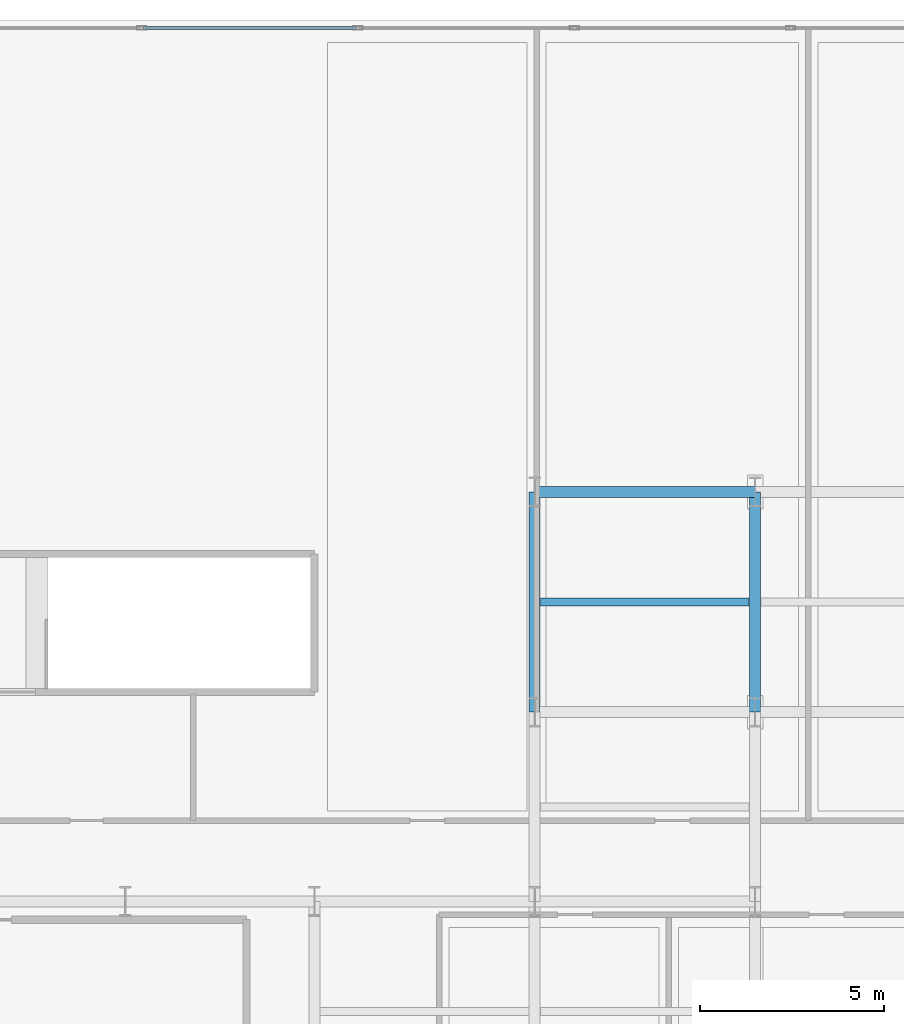
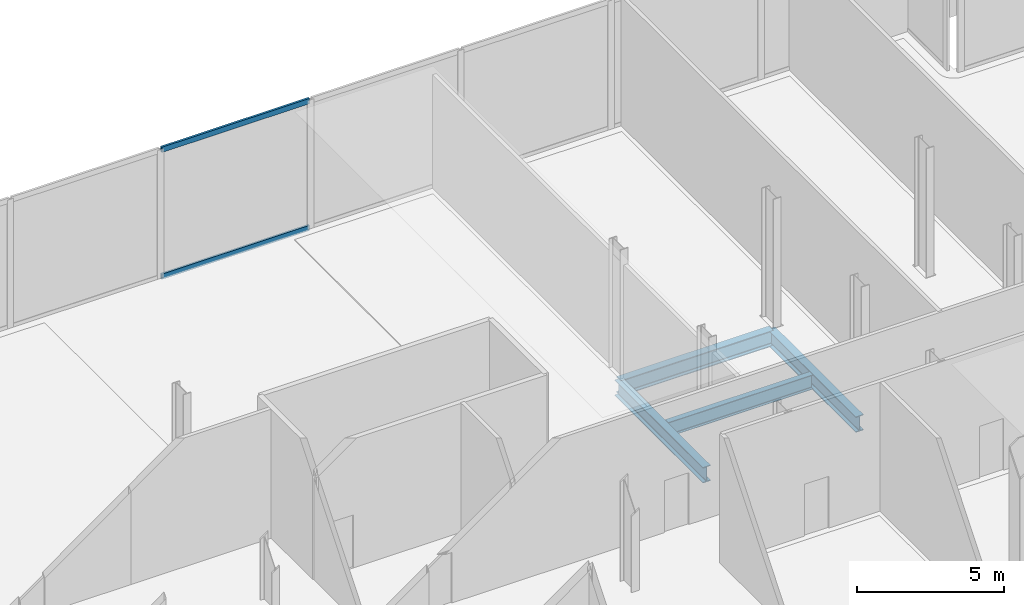
# One storey, part 16 of 27: 4 beams, 2 members, 1 element without a shape of its own.
"""IFC4 building model written with IfcOpenShell, lengths in metres."""

import ifcopenshell
import ifcopenshell.guid

model = None  # the IFC model being written
_history = None  # IfcOwnerHistory: only IFC2X3 demands one
_inside = {}  # id of a spatial element -> (the spatial element, [elements in it])
_under = {}  # id of a project, library or spatial element -> (it, [spatial elements below it])
_declared = {}  # id of a project -> (the project, [libraries it declares])
_typed = {}  # id of a type object -> (the type object, [elements of that type])
_made_of = {}  # id of a material, layer set ... -> (it, [elements and type objects made of it])


def new_model(schema):
    """Start an empty IFC model of exactly this schema.

    Asked for "IFC4X3", IfcOpenShell would pick the latest addendum, in which some entities
    have other attributes; the version numbers below select the first issue.
    IFC2X3 requires an IfcOwnerHistory on every rooted entity: one is made here for all.
    """
    global model, _history
    if schema == "IFC4X3":
        model = ifcopenshell.file(schema_version=(4, 3, 0, 0))
    else:
        model = ifcopenshell.file(schema=schema)
    _inside.clear()
    _under.clear()
    _declared.clear()
    _typed.clear()
    _made_of.clear()
    _history = None
    if model.schema == "IFC2X3":
        org = make("IfcOrganization", Name="unknown")
        user = make(
            "IfcPersonAndOrganization",
            ThePerson=make("IfcPerson", FamilyName="unknown"),
            TheOrganization=org,
        )
        app = make(
            "IfcApplication",
            ApplicationDeveloper=org,
            Version="unknown",
            ApplicationFullName="unknown",
            ApplicationIdentifier="unknown",
        )
        _history = make(
            "IfcOwnerHistory",
            OwningUser=user,
            OwningApplication=app,
            ChangeAction="ADDED",
            CreationDate=0,
        )
    return model


def make(cls, **values):
    """One entity of the class cls with the attributes given. An attribute that is None is left unset."""
    return model.create_entity(
        cls, **{name: value for name, value in values.items() if value is not None}
    )


def rooted(cls, **values):
    """An entity with a GlobalId (a new one), such as an element, a storey or a relation."""
    return make(cls, GlobalId=ifcopenshell.guid.new(), OwnerHistory=_history, **values)


def si_unit(unit_type, name, prefix=None):
    """IfcSIUnit, for example si_unit("LENGTHUNIT", "METRE", prefix="MILLI")."""
    return make("IfcSIUnit", UnitType=unit_type, Prefix=prefix, Name=name)


def assignment(units):
    """IfcUnitAssignment: the units of a project."""
    return None if units is None else make("IfcUnitAssignment", Units=units)


def point(xyz):
    """IfcCartesianPoint."""
    return None if xyz is None else make("IfcCartesianPoint", Coordinates=xyz)


def direction(xyz):
    """IfcDirection."""
    return None if xyz is None else make("IfcDirection", DirectionRatios=xyz)


def frame(location, z_axis=None, x_axis=None):
    """IfcAxis2Placement3D, a coordinate frame: its origin and axes. An axis left out is left unset."""
    return make(
        "IfcAxis2Placement3D",
        Location=point(location),
        Axis=direction(z_axis),
        RefDirection=direction(x_axis),
    )


def frame_2d(location, x_axis=None):
    """IfcAxis2Placement2D, a coordinate frame in the plane: its origin and x axis."""
    return make(
        "IfcAxis2Placement2D", Location=point(location), RefDirection=direction(x_axis)
    )


def origin():
    """The frame at (0, 0, 0) with its axes left unset."""
    return frame((0.0, 0.0, 0.0))


def origin_2d():
    """The frame at (0, 0) in the plane with its x axis left unset."""
    return frame_2d((0.0, 0.0))


def place(relative_to, where):
    """IfcLocalPlacement: puts the frame where relative to a parent placement (None: the world)."""
    return make(
        "IfcLocalPlacement", PlacementRelTo=relative_to, RelativePlacement=where
    )


def context(
    kind, dimensions, precision=None, world=None, true_north=None, identifier=None
):
    """IfcGeometricRepresentationContext, for example the 3D "Model" context."""
    return make(
        "IfcGeometricRepresentationContext",
        ContextIdentifier=identifier,
        ContextType=kind,
        CoordinateSpaceDimension=dimensions,
        Precision=precision,
        WorldCoordinateSystem=world,
        TrueNorth=true_north,
    )


def subcontext(parent, identifier, kind, view, scale=None):
    """IfcGeometricRepresentationSubContext, for example "Body" below "Model"."""
    return make(
        "IfcGeometricRepresentationSubContext",
        ContextIdentifier=identifier,
        ContextType=kind,
        ParentContext=parent,
        TargetScale=scale,
        TargetView=view,
    )


def project(units=None, contexts=None):
    """IfcProject with its units and contexts."""
    return rooted(
        "IfcProject",
        Name="project",
        RepresentationContexts=contexts,
        UnitsInContext=assignment(units),
    )


def spatial(cls, under=None, at=None, **own):
    """A site, building, storey or space (cls), placed at a placement, below another one or the project."""
    s = rooted(cls, ObjectPlacement=at, **own)
    if under is not None:
        _under.setdefault(under.id(), (under, []))[1].append(s)
    return s


def profile(cls, at=None, kind="AREA", **sizes):
    """A parametric profile (cls). Its sizes go by their IFC names, for example OverallWidth=200.0."""
    return make(cls, ProfileType=kind, Position=at, **sizes)


def hollow_rectangle(**sizes):
    """IfcRectangleHollowProfileDef."""
    return profile("IfcRectangleHollowProfileDef", **sizes)


def i_section(**sizes):
    """IfcIShapeProfileDef."""
    return profile("IfcIShapeProfileDef", **sizes)


def extrude(swept, where, along, depth):
    """IfcExtrudedAreaSolid: the profile swept, set in the frame where, extruded along a direction by depth."""
    return make(
        "IfcExtrudedAreaSolid",
        SweptArea=swept,
        Position=where,
        ExtrudedDirection=direction(along),
        Depth=depth,
    )


def shape(context_of_items, identifier, shape_type, items):
    """IfcShapeRepresentation: the items that make up one representation, for example the "Body"."""
    return make(
        "IfcShapeRepresentation",
        ContextOfItems=context_of_items,
        RepresentationIdentifier=identifier,
        RepresentationType=shape_type,
        Items=items,
    )


def material(Name=None, Category=None):
    """IfcMaterial."""
    return make("IfcMaterial", Name=Name, Category=Category)


def layer(
    of_material, thickness, ventilated=None, Name=None, Category=None, Priority=None
):
    """IfcMaterialLayer: one layer of a wall or slab, of a material (None: an air gap)."""
    return make(
        "IfcMaterialLayer",
        Material=of_material,
        LayerThickness=thickness,
        IsVentilated=ventilated,
        Name=Name,
        Category=Category,
        Priority=Priority,
    )


def layer_set(layers, Name=None):
    """IfcMaterialLayerSet."""
    return make("IfcMaterialLayerSet", MaterialLayers=layers, LayerSetName=Name)


def material_profile(
    of_material, cross_section, Name=None, Category=None, Priority=None
):
    """IfcMaterialProfile: a cross section and its material."""
    return make(
        "IfcMaterialProfile",
        Name=Name,
        Material=of_material,
        Profile=cross_section,
        Priority=Priority,
        Category=Category,
    )


def profile_set(profiles, Name=None, composite=None):
    """IfcMaterialProfileSet."""
    return make(
        "IfcMaterialProfileSet",
        Name=Name,
        MaterialProfiles=profiles,
        CompositeProfile=composite,
    )


def made_of(thing, what):
    """Note that an element or type object is made of a material, layer set ...; save() writes the relation."""
    if what is not None:
        _made_of.setdefault(what.id(), (what, []))[1].append(thing)
    return thing


def type_object(cls, material=None, **own):
    """A type object (cls), such as IfcWallType, which elements share."""
    return made_of(rooted(cls, **own), material)


def element(
    cls,
    number,
    at=None,
    inside=None,
    cuts=None,
    type_object=None,
    material=None,
    context=None,
    identifier="Body",
    shape_type=None,
    held_by="IfcProductDefinitionShape",
    body=None,
    shapes=None,
    **own,
):
    """One element of the class cls, such as IfcWall. Its Tag is "e" and its number.

    at: its placement. inside: the storey or other place that contains it. cuts: it is an
    opening in that element (IfcRelVoidsElement). A single representation is given by context,
    identifier, shape_type and body (its items); several are given by shapes. held_by: the class
    of the entity that holds the representations. save() writes the other relations.
    """
    e = rooted(cls, Tag="e%d" % number, ObjectPlacement=at, **own)
    if body is not None:
        shapes = [shape(context, identifier, shape_type, body)]
    if shapes is not None:
        e.Representation = make(held_by, Representations=shapes)
    if inside is not None:
        _inside.setdefault(inside.id(), (inside, []))[1].append(e)
    if cuts is not None:
        rooted(
            "IfcRelVoidsElement", RelatingBuildingElement=cuts, RelatedOpeningElement=e
        )
    if type_object is not None:
        _typed.setdefault(type_object.id(), (type_object, []))[1].append(e)
    return made_of(e, material)


def aggregate(whole, parts):
    """IfcRelAggregates: a whole, such as a stair, and the parts it consists of."""
    return rooted("IfcRelAggregates", RelatingObject=whole, RelatedObjects=parts)


def save(model, path):
    """Write the relations noted so far, then the file.

    IfcRelAggregates (storeys below a building ...), IfcRelContainedInSpatialStructure (elements
    in a storey), IfcRelDefinesByType, IfcRelAssociatesMaterial and IfcRelDeclares: one each for
    every whole, place, type object, material and project.
    """
    for whole, parts in _under.values():
        aggregate(whole, parts)
    for where, things in _inside.values():
        rooted(
            "IfcRelContainedInSpatialStructure",
            RelatedElements=things,
            RelatingStructure=where,
        )
    for kind, things in _typed.values():
        rooted("IfcRelDefinesByType", RelatedObjects=things, RelatingType=kind)
    for what, things in _made_of.values():
        rooted("IfcRelAssociatesMaterial", RelatedObjects=things, RelatingMaterial=what)
    for by, libraries in _declared.values():
        rooted("IfcRelDeclares", RelatingContext=by, RelatedDefinitions=libraries)
    model.write(path)


model = new_model("IFC4")

# Units and contexts
model_context = context("Model", 3, precision=1e-05, world=origin(), true_north=direction((0.0, 1.0)))
body_context = subcontext(model_context, "Body", "Model", "MODEL_VIEW")
ifc_project = project(units=[si_unit("LENGTHUNIT", "METRE"), si_unit("AREAUNIT", "SQUARE_METRE"), si_unit("VOLUMEUNIT", "CUBIC_METRE"), si_unit("PLANEANGLEUNIT", "RADIAN"), si_unit("MASSUNIT", "GRAM", prefix="KILO"), si_unit("THERMODYNAMICTEMPERATUREUNIT", "KELVIN"), si_unit("POWERUNIT", "WATT")], contexts=[model_context])

# Site, building, storey
site_placement = place(None, origin())
site = spatial("IfcSite", under=ifc_project, at=site_placement, CompositionType="ELEMENT")
building_placement = place(site_placement, origin())
building = spatial("IfcBuilding", under=site, at=building_placement, Name="Svarakhadi Broadcast Tower", CompositionType="ELEMENT")
storey_placement = place(building_placement, frame((0.0, 0.0, 21.89990234375)))
storey = spatial("IfcBuildingStorey", under=building, at=storey_placement, Name="L04", CompositionType="ELEMENT", Elevation=21.89990234375)

# Beam
ifc_material_1 = material(Name="Steel S355J2 (IS 2062 E350C)", Category="steel")
ifc_material_profile_1 = material_profile(ifc_material_1, i_section(OverallWidth=0.219970703125, OverallDepth=0.60009765625, WebThickness=0.011962890625, FlangeThickness=0.01904296875, FilletRadius=0.02392578125, at=origin_2d()), Name="NPB 600x220x122")
ifc_profile_set_1 = profile_set([ifc_material_profile_1], Name="Steel S355J2 (IS 2062 E350C)")
beam_type_1 = type_object("IfcBeamType", Name="Beam_NPB600", PredefinedType="BEAM", material=ifc_profile_set_1)
beam_placement = place(storey_placement, frame((41.31005859375, 32.14990234375, -0.574951171875), z_axis=(1.0, 0.0, 0.0), x_axis=(0.0, 1.0, 0.0)))
element("IfcBeam", 1, at=beam_placement, inside=storey, type_object=beam_type_1, Name="L04 Secondary Composite Beam SB026", PredefinedType="BEAM", context=body_context, shape_type="SweptSolid", body=[
    extrude(i_section(OverallWidth=0.219970703125, OverallDepth=0.60009765625, WebThickness=0.011962890625, FlangeThickness=0.01904296875, FilletRadius=0.02392578125, at=origin_2d()), origin(), (0.0, 0.0, 1.0), 5.679931640625),
])

# Curtain wall, members
ifc_material_2 = material(Name="Anodised Bronze Aluminium AA 6063-T6", Category="aluminium")
ifc_layer = layer(ifc_material_2, 0.25)
ifc_layer_set = layer_set([ifc_layer], Name="Anodised Bronze Aluminium AA 6063-T6")
curtain_wall_type = type_object("IfcCurtainWallType", Name="CW_Sys_01", PredefinedType="NOTDEFINED", material=ifc_layer_set)
curtain_wall_placement = place(storey_placement, origin())
curtain_wall = element("IfcCurtainWall", 2, at=curtain_wall_placement, inside=storey, type_object=curtain_wall_type, Name="L04 Unitised Facade Curtain Wall 05 Bay 2", PredefinedType="NOTDEFINED")
ifc_material_profile_2 = material_profile(ifc_material_2, hollow_rectangle(XDim=0.0849609375, YDim=0.219970703125, WallThickness=0.0048828125, at=origin_2d()), Name="ALU TRANSOM 220x85x5")
ifc_profile_set_2 = profile_set([ifc_material_profile_2], Name="Anodised Bronze Aluminium AA 6063-T6")
member_type = type_object("IfcMemberType", Name="CW_Sys_01_Trn", PredefinedType="USERDEFINED", material=ifc_profile_set_2)
member_1_placement = place(storey_placement, frame((30.4951171875, 47.780029296875, 0.04248046875), z_axis=(1.0, 0.0, 0.0), x_axis=(0.0, 1.0, 0.0)))
member_1 = element("IfcMember", 3, at=member_1_placement, type_object=member_type, Name="CW-01 transom 4.1", ObjectType="TRANSOM", PredefinedType="USERDEFINED", context=body_context, shape_type="SweptSolid", body=[
    extrude(hollow_rectangle(XDim=0.0849609375, YDim=0.219970703125, WallThickness=0.0048828125, at=origin_2d()), origin(), (0.0, 0.0, 1.0), 5.79736328125),
])
member_2_placement = place(storey_placement, frame((30.4951171875, 47.780029296875, 5.3076171875), z_axis=(1.0, 0.0, 0.0), x_axis=(0.0, 1.0, 0.0)))
member_2 = element("IfcMember", 4, at=member_2_placement, type_object=member_type, Name="CW-01 transom 4.2", ObjectType="TRANSOM", PredefinedType="USERDEFINED", context=body_context, shape_type="SweptSolid", body=[
    extrude(hollow_rectangle(XDim=0.0849609375, YDim=0.219970703125, WallThickness=0.0048828125, at=origin_2d()), origin(), (0.0, 0.0, 1.0), 5.79736328125),
])
aggregate(curtain_wall, [member_1, member_2])

# Beams
ifc_material_profile_3 = material_profile(ifc_material_1, i_section(OverallWidth=0.300048828125, OverallDepth=0.64990234375, WebThickness=0.01611328125, FlangeThickness=0.031005859375, FilletRadius=0.027099609375, at=origin_2d()), Name="WPB 650x300x225")
ifc_profile_set_3 = profile_set([ifc_material_profile_3], Name="Steel S355J2 (IS 2062 E350C)")
beam_type_2 = type_object("IfcBeamType", Name="Girder_WPB650", PredefinedType="USERDEFINED", material=ifc_profile_set_3)
for number, where, z_axis, x_axis, name in (
    (5, (41.14990234375, 35.14990234375, -0.599853515625), (1.0, 0.0, 0.0), (0.0, 1.0, 0.0), "L04 Primary E-W Girder G038"),
    (6, (41.14990234375, 29.14990234375, -0.599853515625), (0.0, 1.0, 0.0), (-1.0, 0.0, 0.0), "L04 Primary N-S Girder G078"),
    (7, (47.14990234375, 29.14990234375, -0.599853515625), (0.0, 1.0, 0.0), (-1.0, 0.0, 0.0), "L04 Primary N-S Girder G083"),
):
    element("IfcBeam", number, at=place(storey_placement, frame(where, z_axis=z_axis, x_axis=x_axis)), inside=storey, type_object=beam_type_2, Name=name, ObjectType="GIRDER", PredefinedType="USERDEFINED", context=body_context, shape_type="SweptSolid", body=[
        extrude(i_section(OverallWidth=0.300048828125, OverallDepth=0.64990234375, WebThickness=0.01611328125, FlangeThickness=0.031005859375, FilletRadius=0.027099609375, at=origin_2d()), origin(), (0.0, 0.0, 1.0), 6.0),
    ])

save(model, "model.ifc")
